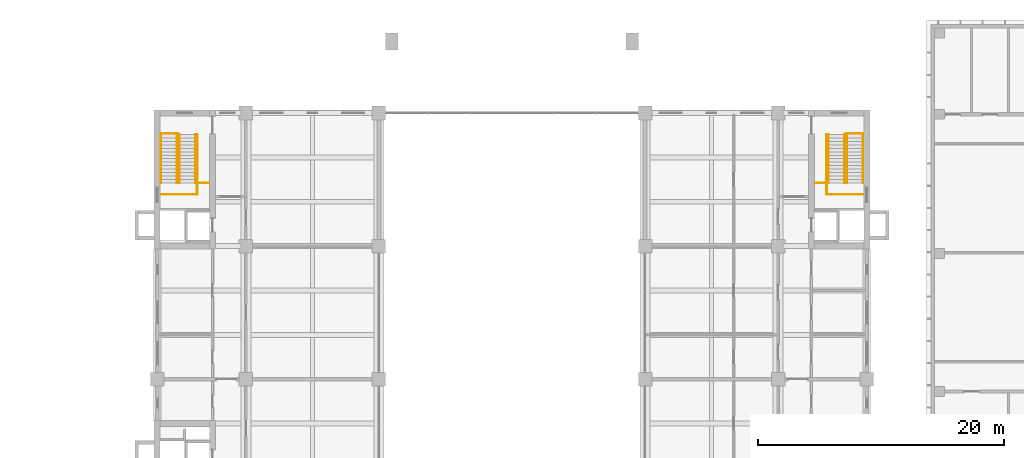
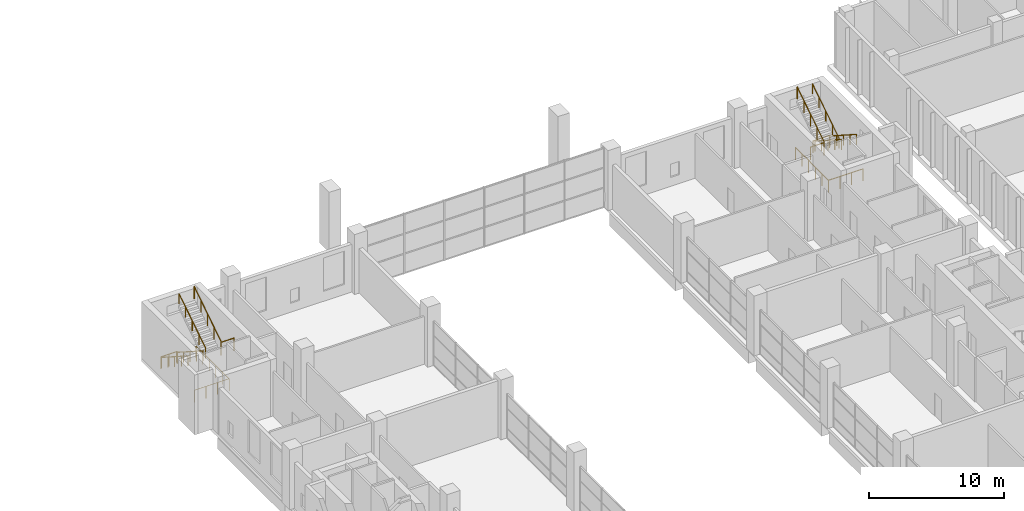
# One storey, part 32 of 33: 14 railings.
"""IFC4 building model written with IfcOpenShell, lengths in metres."""

import ifcopenshell
import ifcopenshell.guid

model = None  # the IFC model being written
_history = None  # IfcOwnerHistory: only IFC2X3 demands one
_inside = {}  # id of a spatial element -> (the spatial element, [elements in it])
_under = {}  # id of a project, library or spatial element -> (it, [spatial elements below it])
_declared = {}  # id of a project -> (the project, [libraries it declares])
_typed = {}  # id of a type object -> (the type object, [elements of that type])
_made_of = {}  # id of a material, layer set ... -> (it, [elements and type objects made of it])


def new_model(schema):
    """Start an empty IFC model of exactly this schema.

    Asked for "IFC4X3", IfcOpenShell would pick the latest addendum, in which some entities
    have other attributes; the version numbers below select the first issue.
    IFC2X3 requires an IfcOwnerHistory on every rooted entity: one is made here for all.
    """
    global model, _history
    if schema == "IFC4X3":
        model = ifcopenshell.file(schema_version=(4, 3, 0, 0))
    else:
        model = ifcopenshell.file(schema=schema)
    _inside.clear()
    _under.clear()
    _declared.clear()
    _typed.clear()
    _made_of.clear()
    _history = None
    if model.schema == "IFC2X3":
        org = make("IfcOrganization", Name="unknown")
        user = make(
            "IfcPersonAndOrganization",
            ThePerson=make("IfcPerson", FamilyName="unknown"),
            TheOrganization=org,
        )
        app = make(
            "IfcApplication",
            ApplicationDeveloper=org,
            Version="unknown",
            ApplicationFullName="unknown",
            ApplicationIdentifier="unknown",
        )
        _history = make(
            "IfcOwnerHistory",
            OwningUser=user,
            OwningApplication=app,
            ChangeAction="ADDED",
            CreationDate=0,
        )
    return model


def make(cls, **values):
    """One entity of the class cls with the attributes given. An attribute that is None is left unset."""
    return model.create_entity(
        cls, **{name: value for name, value in values.items() if value is not None}
    )


def rooted(cls, **values):
    """An entity with a GlobalId (a new one), such as an element, a storey or a relation."""
    return make(cls, GlobalId=ifcopenshell.guid.new(), OwnerHistory=_history, **values)


def si_unit(unit_type, name, prefix=None):
    """IfcSIUnit, for example si_unit("LENGTHUNIT", "METRE", prefix="MILLI")."""
    return make("IfcSIUnit", UnitType=unit_type, Prefix=prefix, Name=name)


def assignment(units):
    """IfcUnitAssignment: the units of a project."""
    return None if units is None else make("IfcUnitAssignment", Units=units)


def point(xyz):
    """IfcCartesianPoint."""
    return None if xyz is None else make("IfcCartesianPoint", Coordinates=xyz)


def direction(xyz):
    """IfcDirection."""
    return None if xyz is None else make("IfcDirection", DirectionRatios=xyz)


def frame(location, z_axis=None, x_axis=None):
    """IfcAxis2Placement3D, a coordinate frame: its origin and axes. An axis left out is left unset."""
    return make(
        "IfcAxis2Placement3D",
        Location=point(location),
        Axis=direction(z_axis),
        RefDirection=direction(x_axis),
    )


def frame_2d(location, x_axis=None):
    """IfcAxis2Placement2D, a coordinate frame in the plane: its origin and x axis."""
    return make(
        "IfcAxis2Placement2D", Location=point(location), RefDirection=direction(x_axis)
    )


def origin():
    """The frame at (0, 0, 0) with its axes left unset."""
    return frame((0.0, 0.0, 0.0))


def origin_2d():
    """The frame at (0, 0) in the plane with its x axis left unset."""
    return frame_2d((0.0, 0.0))


def place(relative_to, where):
    """IfcLocalPlacement: puts the frame where relative to a parent placement (None: the world)."""
    return make(
        "IfcLocalPlacement", PlacementRelTo=relative_to, RelativePlacement=where
    )


def context(
    kind, dimensions, precision=None, world=None, true_north=None, identifier=None
):
    """IfcGeometricRepresentationContext, for example the 3D "Model" context."""
    return make(
        "IfcGeometricRepresentationContext",
        ContextIdentifier=identifier,
        ContextType=kind,
        CoordinateSpaceDimension=dimensions,
        Precision=precision,
        WorldCoordinateSystem=world,
        TrueNorth=true_north,
    )


def subcontext(parent, identifier, kind, view, scale=None):
    """IfcGeometricRepresentationSubContext, for example "Body" below "Model"."""
    return make(
        "IfcGeometricRepresentationSubContext",
        ContextIdentifier=identifier,
        ContextType=kind,
        ParentContext=parent,
        TargetScale=scale,
        TargetView=view,
    )


def project(units=None, contexts=None):
    """IfcProject with its units and contexts."""
    return rooted(
        "IfcProject",
        Name="project",
        RepresentationContexts=contexts,
        UnitsInContext=assignment(units),
    )


def spatial(cls, under=None, at=None, **own):
    """A site, building, storey or space (cls), placed at a placement, below another one or the project."""
    s = rooted(cls, ObjectPlacement=at, **own)
    if under is not None:
        _under.setdefault(under.id(), (under, []))[1].append(s)
    return s


def profile(cls, at=None, kind="AREA", **sizes):
    """A parametric profile (cls). Its sizes go by their IFC names, for example OverallWidth=200.0."""
    return make(cls, ProfileType=kind, Position=at, **sizes)


def circle(**sizes):
    """IfcCircleProfileDef."""
    return profile("IfcCircleProfileDef", **sizes)


def extrude(swept, where, along, depth):
    """IfcExtrudedAreaSolid: the profile swept, set in the frame where, extruded along a direction by depth."""
    return make(
        "IfcExtrudedAreaSolid",
        SweptArea=swept,
        Position=where,
        ExtrudedDirection=direction(along),
        Depth=depth,
    )


def shape(context_of_items, identifier, shape_type, items):
    """IfcShapeRepresentation: the items that make up one representation, for example the "Body"."""
    return make(
        "IfcShapeRepresentation",
        ContextOfItems=context_of_items,
        RepresentationIdentifier=identifier,
        RepresentationType=shape_type,
        Items=items,
    )


def material(Name=None, Category=None):
    """IfcMaterial."""
    return make("IfcMaterial", Name=Name, Category=Category)


def made_of(thing, what):
    """Note that an element or type object is made of a material, layer set ...; save() writes the relation."""
    if what is not None:
        _made_of.setdefault(what.id(), (what, []))[1].append(thing)
    return thing


def type_object(cls, material=None, **own):
    """A type object (cls), such as IfcWallType, which elements share."""
    return made_of(rooted(cls, **own), material)


def element(
    cls,
    number,
    at=None,
    inside=None,
    cuts=None,
    type_object=None,
    material=None,
    context=None,
    identifier="Body",
    shape_type=None,
    held_by="IfcProductDefinitionShape",
    body=None,
    shapes=None,
    **own,
):
    """One element of the class cls, such as IfcWall. Its Tag is "e" and its number.

    at: its placement. inside: the storey or other place that contains it. cuts: it is an
    opening in that element (IfcRelVoidsElement). A single representation is given by context,
    identifier, shape_type and body (its items); several are given by shapes. held_by: the class
    of the entity that holds the representations. save() writes the other relations.
    """
    e = rooted(cls, Tag="e%d" % number, ObjectPlacement=at, **own)
    if body is not None:
        shapes = [shape(context, identifier, shape_type, body)]
    if shapes is not None:
        e.Representation = make(held_by, Representations=shapes)
    if inside is not None:
        _inside.setdefault(inside.id(), (inside, []))[1].append(e)
    if cuts is not None:
        rooted(
            "IfcRelVoidsElement", RelatingBuildingElement=cuts, RelatedOpeningElement=e
        )
    if type_object is not None:
        _typed.setdefault(type_object.id(), (type_object, []))[1].append(e)
    return made_of(e, material)


def aggregate(whole, parts):
    """IfcRelAggregates: a whole, such as a stair, and the parts it consists of."""
    return rooted("IfcRelAggregates", RelatingObject=whole, RelatedObjects=parts)


def save(model, path):
    """Write the relations noted so far, then the file.

    IfcRelAggregates (storeys below a building ...), IfcRelContainedInSpatialStructure (elements
    in a storey), IfcRelDefinesByType, IfcRelAssociatesMaterial and IfcRelDeclares: one each for
    every whole, place, type object, material and project.
    """
    for whole, parts in _under.values():
        aggregate(whole, parts)
    for where, things in _inside.values():
        rooted(
            "IfcRelContainedInSpatialStructure",
            RelatedElements=things,
            RelatingStructure=where,
        )
    for kind, things in _typed.values():
        rooted("IfcRelDefinesByType", RelatedObjects=things, RelatingType=kind)
    for what, things in _made_of.values():
        rooted("IfcRelAssociatesMaterial", RelatedObjects=things, RelatingMaterial=what)
    for by, libraries in _declared.values():
        rooted("IfcRelDeclares", RelatingContext=by, RelatedDefinitions=libraries)
    model.write(path)


model = new_model("IFC4")

# Units and contexts
model_context = context("Model", 3, precision=1e-05, world=origin(), true_north=direction((0.0, 1.0)))
body_context = subcontext(model_context, "Body", "Model", "MODEL_VIEW")
ifc_project = project(units=[si_unit("LENGTHUNIT", "METRE"), si_unit("AREAUNIT", "SQUARE_METRE"), si_unit("VOLUMEUNIT", "CUBIC_METRE"), si_unit("PLANEANGLEUNIT", "RADIAN"), si_unit("MASSUNIT", "GRAM", prefix="KILO")], contexts=[model_context])

# Site, building, storey
site_placement = place(None, origin())
site = spatial("IfcSite", under=ifc_project, at=site_placement, CompositionType="ELEMENT")
building_placement = place(site_placement, origin())
building = spatial("IfcBuilding", under=site, at=building_placement, Name="Basin Gate Institute", CompositionType="ELEMENT")
storey_placement = place(building_placement, frame((0.0, 0.0, 6.0)))
storey = spatial("IfcBuildingStorey", under=building, at=storey_placement, Name="L01", CompositionType="ELEMENT", Elevation=6.0)

# Railings
ifc_material_1 = material(Name="Stainless steel", Category="steel")
railing_type_1 = type_object("IfcRailingType", Name="Stair guard GR1", PredefinedType="GUARDRAIL", material=ifc_material_1)
railing_1_placement = place(storey_placement, frame((64.449951171875, 98.14990234375, 0.0)))
element("IfcRailing", 1, at=railing_1_placement, inside=storey, type_object=railing_type_1, material=ifc_material_1, Name="Stair guard GR1 WN GD3-L00", PredefinedType="GUARDRAIL", context=body_context, shape_type="SweptSolid", body=[
    extrude(circle(Radius=0.02392578125, at=origin_2d()), frame((0.0, 0.0, 1.076171875), z_axis=(0.0, -1.0, 0.0), x_axis=(1.0, 0.0, 0.0)), (0.0, 0.0, 1.0), 4.8798828125),
    extrude(circle(Radius=0.02392578125, at=origin_2d()), frame((0.0, -4.8798828125, 1.076171875), z_axis=(-1.0, 0.0, 0.0), x_axis=(0.0, -1.0, 0.0)), (0.0, 0.0, 1.0), 2.949951171875),
    extrude(circle(Radius=0.02099609375, at=origin_2d()), origin(), (0.0, 0.0, 1.0), 1.052001953125),
    extrude(circle(Radius=0.02099609375, at=origin_2d()), frame((0.0, -0.97607421875, 0.0)), (0.0, 0.0, 1.0), 1.052001953125),
    extrude(circle(Radius=0.02099609375, at=origin_2d()), frame((0.0, -1.951904296875, 0.0)), (0.0, 0.0, 1.0), 1.052001953125),
    extrude(circle(Radius=0.02099609375, at=origin_2d()), frame((0.0, -2.927978515625, 0.0)), (0.0, 0.0, 1.0), 1.052001953125),
    extrude(circle(Radius=0.02099609375, at=origin_2d()), frame((0.0, -3.90380859375, 0.0)), (0.0, 0.0, 1.0), 1.052001953125),
    extrude(circle(Radius=0.02099609375, at=origin_2d()), frame((0.0, -4.8798828125, 0.0)), (0.0, 0.0, 1.0), 1.052001953125),
    extrude(circle(Radius=0.02099609375, at=origin_2d()), frame((-0.9833984375, -4.8798828125, 0.0)), (0.0, 0.0, 1.0), 1.052001953125),
    extrude(circle(Radius=0.02099609375, at=origin_2d()), frame((-1.966552734375, -4.8798828125, 0.0)), (0.0, 0.0, 1.0), 1.052001953125),
    extrude(circle(Radius=0.02099609375, at=origin_2d()), frame((-2.949951171875, -4.8798828125, 0.0)), (0.0, 0.0, 1.0), 1.052001953125),
])
railing_2_placement = place(storey_placement, frame((61.5, 98.22998046875, 0.0)))
element("IfcRailing", 2, at=railing_2_placement, inside=storey, type_object=railing_type_1, material=ifc_material_1, Name="Stair guard GR1 WN GD4-L00", PredefinedType="GUARDRAIL", context=body_context, shape_type="SweptSolid", body=[
    extrude(circle(Radius=0.02392578125, at=origin_2d()), frame((0.0, 0.0, 1.076171875), z_axis=(1.0, 0.0, 0.0), x_axis=(0.0, 1.0, 0.0)), (0.0, 0.0, 1.0), 1.39990234375),
    extrude(circle(Radius=0.02099609375, at=origin_2d()), origin(), (0.0, 0.0, 1.0), 1.052001953125),
    extrude(circle(Radius=0.02099609375, at=origin_2d()), frame((0.699951171875, 0.0, 0.0)), (0.0, 0.0, 1.0), 1.052001953125),
    extrude(circle(Radius=0.02099609375, at=origin_2d()), frame((1.39990234375, 0.0, 0.0)), (0.0, 0.0, 1.0), 1.052001953125),
])
railing_3_placement = place(storey_placement, frame((115.550048828125, 98.14990234375, 0.0)))
element("IfcRailing", 3, at=railing_3_placement, inside=storey, type_object=railing_type_1, material=ifc_material_1, Name="Stair guard GR1 EN GD3-L00", PredefinedType="GUARDRAIL", context=body_context, shape_type="SweptSolid", body=[
    extrude(circle(Radius=0.02392578125, at=origin_2d()), frame((0.0, 0.0, 1.076171875), z_axis=(0.0, -1.0, 0.0), x_axis=(1.0, 0.0, 0.0)), (0.0, 0.0, 1.0), 4.8798828125),
    extrude(circle(Radius=0.02392578125, at=origin_2d()), frame((0.0, -4.8798828125, 1.076171875), z_axis=(1.0, 0.0, 0.0), x_axis=(0.0, 1.0, 0.0)), (0.0, 0.0, 1.0), 2.949951171875),
    extrude(circle(Radius=0.02099609375, at=origin_2d()), origin(), (0.0, 0.0, 1.0), 1.052001953125),
    extrude(circle(Radius=0.02099609375, at=origin_2d()), frame((0.0, -0.97607421875, 0.0)), (0.0, 0.0, 1.0), 1.052001953125),
    extrude(circle(Radius=0.02099609375, at=origin_2d()), frame((0.0, -1.951904296875, 0.0)), (0.0, 0.0, 1.0), 1.052001953125),
    extrude(circle(Radius=0.02099609375, at=origin_2d()), frame((0.0, -2.927978515625, 0.0)), (0.0, 0.0, 1.0), 1.052001953125),
    extrude(circle(Radius=0.02099609375, at=origin_2d()), frame((0.0, -3.90380859375, 0.0)), (0.0, 0.0, 1.0), 1.052001953125),
    extrude(circle(Radius=0.02099609375, at=origin_2d()), frame((0.0, -4.8798828125, 0.0)), (0.0, 0.0, 1.0), 1.052001953125),
    extrude(circle(Radius=0.02099609375, at=origin_2d()), frame((0.9833984375, -4.8798828125, 0.0)), (0.0, 0.0, 1.0), 1.052001953125),
    extrude(circle(Radius=0.02099609375, at=origin_2d()), frame((1.966552734375, -4.8798828125, 0.0)), (0.0, 0.0, 1.0), 1.052001953125),
    extrude(circle(Radius=0.02099609375, at=origin_2d()), frame((2.949951171875, -4.8798828125, 0.0)), (0.0, 0.0, 1.0), 1.052001953125),
])
railing_4_placement = place(storey_placement, frame((118.5, 98.22998046875, 0.0)))
element("IfcRailing", 4, at=railing_4_placement, inside=storey, type_object=railing_type_1, material=ifc_material_1, Name="Stair guard GR1 EN GD4-L00", PredefinedType="GUARDRAIL", context=body_context, shape_type="SweptSolid", body=[
    extrude(circle(Radius=0.02392578125, at=origin_2d()), frame((0.0, 0.0, 1.076171875), z_axis=(-1.0, 0.0, 0.0), x_axis=(0.0, -1.0, 0.0)), (0.0, 0.0, 1.0), 1.39990234375),
    extrude(circle(Radius=0.02099609375, at=origin_2d()), origin(), (0.0, 0.0, 1.0), 1.052001953125),
    extrude(circle(Radius=0.02099609375, at=origin_2d()), frame((-0.699951171875, 0.0, 0.0)), (0.0, 0.0, 1.0), 1.052001953125),
    extrude(circle(Radius=0.02099609375, at=origin_2d()), frame((-1.39990234375, 0.0, 0.0)), (0.0, 0.0, 1.0), 1.052001953125),
])
for number, where, name in (
    (5, (64.300048828125, 94.22998046875, 2.8798828125), "Stair guard GR1 WN GD1"),
    (6, (115.699951171875, 94.22998046875, 2.8798828125), "Stair guard GR1 EN GD1"),
):
    element("IfcRailing", number, at=place(storey_placement, frame(where)), inside=storey, type_object=railing_type_1, material=ifc_material_1, Name=name, PredefinedType="GUARDRAIL", context=body_context, shape_type="SweptSolid", body=[
        extrude(circle(Radius=0.02392578125, at=origin_2d()), frame((0.0, 0.0, 1.076171875), z_axis=(0.0, 0.841171666519, 0.540768182723), x_axis=(-1.0, 0.0, 0.0)), (0.0, 0.0, 1.0), 4.66015625),
        extrude(circle(Radius=0.02099609375, at=origin_2d()), origin(), (0.0, 0.0, 1.0), 1.052001953125),
        extrude(circle(Radius=0.02099609375, at=origin_2d()), frame((0.0, 0.97998046875, 0.6298828125)), (0.0, 0.0, 1.0), 1.052001953125),
        extrude(circle(Radius=0.02099609375, at=origin_2d()), frame((0.0, 1.9599609375, 1.260009765625)), (0.0, 0.0, 1.0), 1.052001953125),
        extrude(circle(Radius=0.02099609375, at=origin_2d()), frame((0.0, 2.93994140625, 1.89013671875)), (0.0, 0.0, 1.0), 1.052001953125),
        extrude(circle(Radius=0.02099609375, at=origin_2d()), frame((0.0, 3.919921875, 2.52001953125)), (0.0, 0.0, 1.0), 1.052001953125),
    ])
ifc_material_2 = material(Name="Stainless steel", Category="steel")
railing_type_2 = type_object("IfcRailingType", Name="Stair guard GR3", PredefinedType="GUARDRAIL", material=ifc_material_2)
railing_5_placement = place(storey_placement, frame((64.300048828125, 94.22998046875, 2.699951171875)))
element("IfcRailing", 7, at=railing_5_placement, inside=storey, type_object=railing_type_2, material=ifc_material_2, Name="Stair guard GR3 WN GD2", PredefinedType="GUARDRAIL", context=body_context, shape_type="SweptSolid", body=[
    extrude(circle(Radius=0.02392578125, at=origin_2d()), frame((0.0, 0.0, 1.1259765625), z_axis=(1.0, 0.0, 0.0), x_axis=(0.0, 1.0, 0.0)), (0.0, 0.0, 1.0), 1.119873046875),
    extrude(circle(Radius=0.02099609375, at=origin_2d()), origin(), (0.0, 0.0, 1.0), 1.101806640625),
    extrude(circle(Radius=0.02099609375, at=origin_2d()), frame((1.119873046875, 0.0, 0.0)), (0.0, 0.0, 1.0), 1.101806640625),
])
railing_6_placement = place(storey_placement, frame((115.699951171875, 94.22998046875, 2.699951171875)))
element("IfcRailing", 8, at=railing_6_placement, inside=storey, type_object=railing_type_2, material=ifc_material_2, Name="Stair guard GR3 EN GD2", PredefinedType="GUARDRAIL", context=body_context, shape_type="SweptSolid", body=[
    extrude(circle(Radius=0.02392578125, at=origin_2d()), frame((0.0, 0.0, 1.1259765625), z_axis=(-1.0, 0.0, 0.0), x_axis=(0.0, -1.0, 0.0)), (0.0, 0.0, 1.0), 1.119873046875),
    extrude(circle(Radius=0.02099609375, at=origin_2d()), origin(), (0.0, 0.0, 1.0), 1.101806640625),
    extrude(circle(Radius=0.02099609375, at=origin_2d()), frame((-1.119873046875, 0.0, 0.0)), (0.0, 0.0, 1.0), 1.101806640625),
])
ifc_material_3 = material(Name="Stainless steel", Category="steel")
railing_type_3 = type_object("IfcRailingType", Name="Stair handrail HR1", PredefinedType="HANDRAIL", material=ifc_material_3)
for number, where, name in (
    (9, (61.5, 98.14990234375, 0.179931640625), "Stair handrail HR1 WN HR1"),
    (10, (62.800048828125, 98.14990234375, 0.179931640625), "Stair handrail HR1 WN HR2"),
):
    element("IfcRailing", number, at=place(storey_placement, frame(where)), inside=storey, type_object=railing_type_3, material=ifc_material_3, Name=name, PredefinedType="HANDRAIL", context=body_context, shape_type="SweptSolid", body=[
        extrude(circle(Radius=0.02392578125, at=origin_2d()), frame((0.0, 0.0, 0.89599609375), z_axis=(0.0, -0.841171666519, 0.540768182723), x_axis=(1.0, 0.0, 0.0)), (0.0, 0.0, 1.0), 4.66015625),
        extrude(circle(Radius=0.02099609375, at=origin_2d()), origin(), (0.0, 0.0, 1.0), 0.871826171875),
        extrude(circle(Radius=0.02099609375, at=origin_2d()), frame((0.0, -0.97998046875, 0.6298828125)), (0.0, 0.0, 1.0), 0.871826171875),
        extrude(circle(Radius=0.02099609375, at=origin_2d()), frame((0.0, -1.9599609375, 1.260009765625)), (0.0, 0.0, 1.0), 0.871826171875),
        extrude(circle(Radius=0.02099609375, at=origin_2d()), frame((0.0, -2.93994140625, 1.89013671875)), (0.0, 0.0, 1.0), 0.871826171875),
        extrude(circle(Radius=0.02099609375, at=origin_2d()), frame((0.0, -3.919921875, 2.52001953125)), (0.0, 0.0, 1.0), 0.871826171875),
    ])
railing_7_placement = place(storey_placement, frame((63.0, 94.22998046875, 2.8798828125)))
element("IfcRailing", 11, at=railing_7_placement, inside=storey, type_object=railing_type_3, material=ifc_material_3, Name="Stair handrail HR1 WN HR3", PredefinedType="HANDRAIL", context=body_context, shape_type="SweptSolid", body=[
    extrude(circle(Radius=0.02392578125, at=origin_2d()), frame((0.0, 0.0, 0.89599609375), z_axis=(0.0, 0.841171666519, 0.540768182723), x_axis=(-1.0, 0.0, 0.0)), (0.0, 0.0, 1.0), 4.66015625),
    extrude(circle(Radius=0.02099609375, at=origin_2d()), origin(), (0.0, 0.0, 1.0), 0.871826171875),
    extrude(circle(Radius=0.02099609375, at=origin_2d()), frame((0.0, 0.97998046875, 0.6298828125)), (0.0, 0.0, 1.0), 0.871826171875),
    extrude(circle(Radius=0.02099609375, at=origin_2d()), frame((0.0, 1.9599609375, 1.260009765625)), (0.0, 0.0, 1.0), 0.871826171875),
    extrude(circle(Radius=0.02099609375, at=origin_2d()), frame((0.0, 2.93994140625, 1.89013671875)), (0.0, 0.0, 1.0), 0.871826171875),
    extrude(circle(Radius=0.02099609375, at=origin_2d()), frame((0.0, 3.919921875, 2.52001953125)), (0.0, 0.0, 1.0), 0.871826171875),
])
for number, where, name in (
    (12, (118.5, 98.14990234375, 0.179931640625), "Stair handrail HR1 EN HR1"),
    (13, (117.199951171875, 98.14990234375, 0.179931640625), "Stair handrail HR1 EN HR2"),
):
    element("IfcRailing", number, at=place(storey_placement, frame(where)), inside=storey, type_object=railing_type_3, material=ifc_material_3, Name=name, PredefinedType="HANDRAIL", context=body_context, shape_type="SweptSolid", body=[
        extrude(circle(Radius=0.02392578125, at=origin_2d()), frame((0.0, 0.0, 0.89599609375), z_axis=(0.0, -0.841171666519, 0.540768182723), x_axis=(1.0, 0.0, 0.0)), (0.0, 0.0, 1.0), 4.66015625),
        extrude(circle(Radius=0.02099609375, at=origin_2d()), origin(), (0.0, 0.0, 1.0), 0.871826171875),
        extrude(circle(Radius=0.02099609375, at=origin_2d()), frame((0.0, -0.97998046875, 0.6298828125)), (0.0, 0.0, 1.0), 0.871826171875),
        extrude(circle(Radius=0.02099609375, at=origin_2d()), frame((0.0, -1.9599609375, 1.260009765625)), (0.0, 0.0, 1.0), 0.871826171875),
        extrude(circle(Radius=0.02099609375, at=origin_2d()), frame((0.0, -2.93994140625, 1.89013671875)), (0.0, 0.0, 1.0), 0.871826171875),
        extrude(circle(Radius=0.02099609375, at=origin_2d()), frame((0.0, -3.919921875, 2.52001953125)), (0.0, 0.0, 1.0), 0.871826171875),
    ])
railing_8_placement = place(storey_placement, frame((117.0, 94.22998046875, 2.8798828125)))
element("IfcRailing", 14, at=railing_8_placement, inside=storey, type_object=railing_type_3, material=ifc_material_3, Name="Stair handrail HR1 EN HR3", PredefinedType="HANDRAIL", context=body_context, shape_type="SweptSolid", body=[
    extrude(circle(Radius=0.02392578125, at=origin_2d()), frame((0.0, 0.0, 0.89599609375), z_axis=(0.0, 0.841171666519, 0.540768182723), x_axis=(-1.0, 0.0, 0.0)), (0.0, 0.0, 1.0), 4.66015625),
    extrude(circle(Radius=0.02099609375, at=origin_2d()), origin(), (0.0, 0.0, 1.0), 0.871826171875),
    extrude(circle(Radius=0.02099609375, at=origin_2d()), frame((0.0, 0.97998046875, 0.6298828125)), (0.0, 0.0, 1.0), 0.871826171875),
    extrude(circle(Radius=0.02099609375, at=origin_2d()), frame((0.0, 1.9599609375, 1.260009765625)), (0.0, 0.0, 1.0), 0.871826171875),
    extrude(circle(Radius=0.02099609375, at=origin_2d()), frame((0.0, 2.93994140625, 1.89013671875)), (0.0, 0.0, 1.0), 0.871826171875),
    extrude(circle(Radius=0.02099609375, at=origin_2d()), frame((0.0, 3.919921875, 2.52001953125)), (0.0, 0.0, 1.0), 0.871826171875),
])

save(model, "model.ifc")
